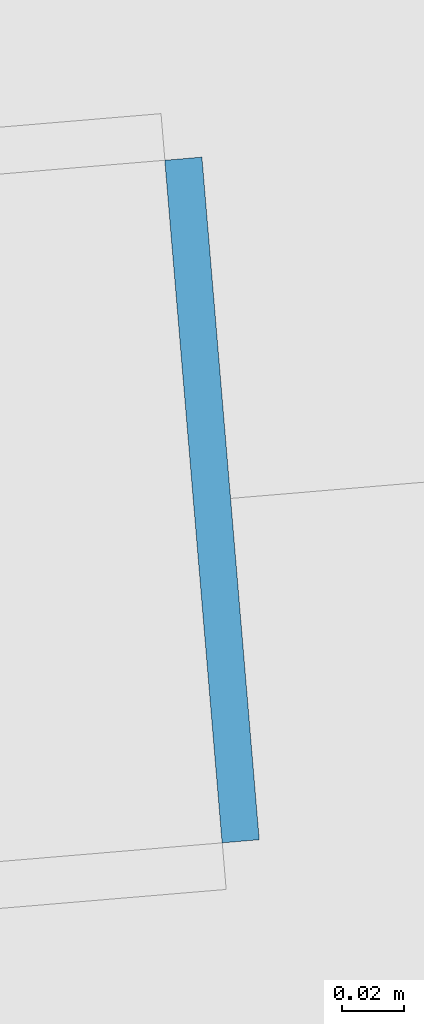
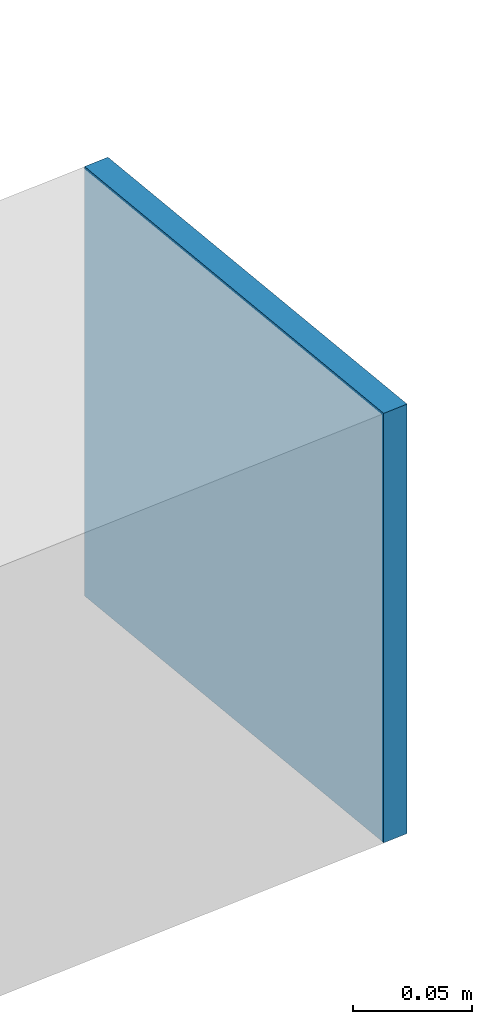
# One storey, part 38 of 46: 1 plate.
"""IFC4 building model written with IfcOpenShell, lengths in metres."""

from ifc_helpers import new_model, si_unit, direction, frame, origin, origin_2d, place, context, subcontext, project, spatial, rectangle, extrude, source, transform, mapped, material, layer, layer_set, type_object, element, save


model = new_model("IFC4")

# Units and contexts
model_context = context("Model", 3, precision=1e-05, world=origin(), true_north=direction((0.0, 1.0)))
body_context = subcontext(model_context, "Body", "Model", "MODEL_VIEW")
ifc_project = project(units=[si_unit("LENGTHUNIT", "METRE"), si_unit("AREAUNIT", "SQUARE_METRE"), si_unit("VOLUMEUNIT", "CUBIC_METRE"), si_unit("PLANEANGLEUNIT", "RADIAN"), si_unit("MASSUNIT", "GRAM", prefix="KILO")], contexts=[model_context])

# Site, building, storey
site_placement = place(None, origin())
site = spatial("IfcSite", under=ifc_project, at=site_placement, CompositionType="ELEMENT")
building_placement = place(site_placement, origin())
building = spatial("IfcBuilding", under=site, at=building_placement, Name="Taldren Reach Tower", CompositionType="ELEMENT")
storey_placement = place(building_placement, frame((0.0, 0.0, 194.60009765625)))
storey = spatial("IfcBuildingStorey", under=building, at=storey_placement, Name="L59", CompositionType="ELEMENT", Elevation=194.60009765625)

# Plate
ifc_material = material(Name="Steel Gr 450 (C450L0)", Category="steel")
ifc_layer = layer(ifc_material, 0.011962890625)
ifc_layer_set = layer_set([ifc_layer], Name="Steel Gr 450 (C450L0)")
plate_type = type_object("IfcPlateType", Name="PL-CAP-220", PredefinedType="SHEET", material=ifc_layer_set)
shared_shape = source(origin(), body_context, "Body", "SweptSolid", [
    extrude(rectangle(XDim=0.011962890625, YDim=0.219970703125, at=origin_2d()), origin(), (0.0, 0.0, 1.0), 0.219970703125),
])
plate_placement = place(storey_placement, frame((62.167724609375, 21.60498046875, 2.5400390625), z_axis=(0.0, 0.0, 1.0), x_axis=(0.99649285925, 0.083677843332, 0.0)))
element("IfcPlate", 1, at=plate_placement, inside=storey, type_object=plate_type, Name="Tie strut end cap plate B4-E2 L59", PredefinedType="SHEET", context=body_context, shape_type="MappedRepresentation", body=[
    mapped(shared_shape, transform((0.0, 0.0, 0.0), scale=1.0)),
])

save(model, "model.ifc")
